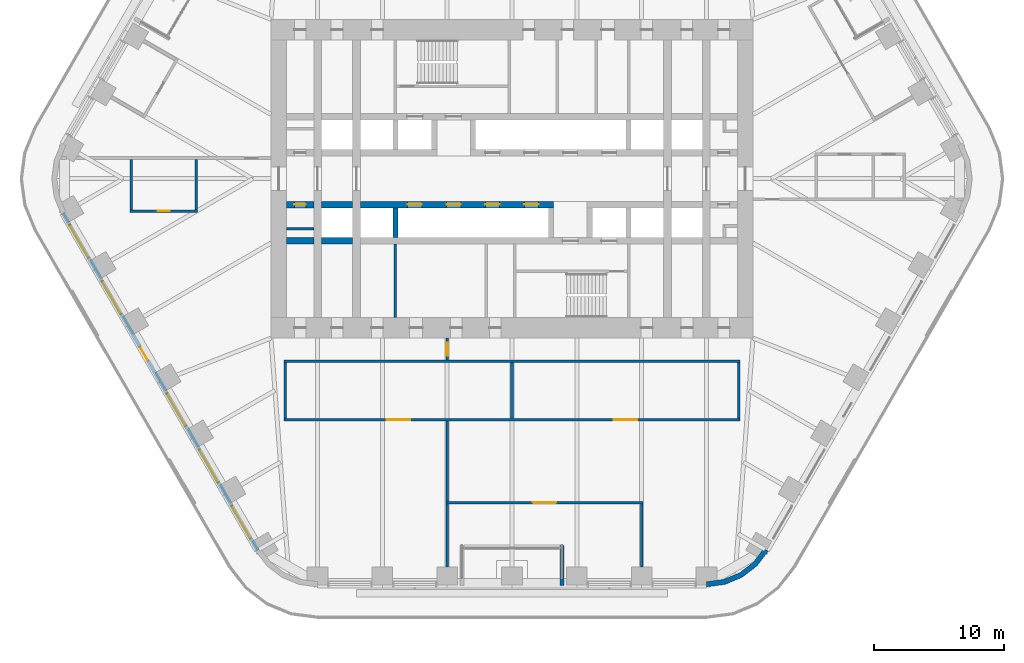
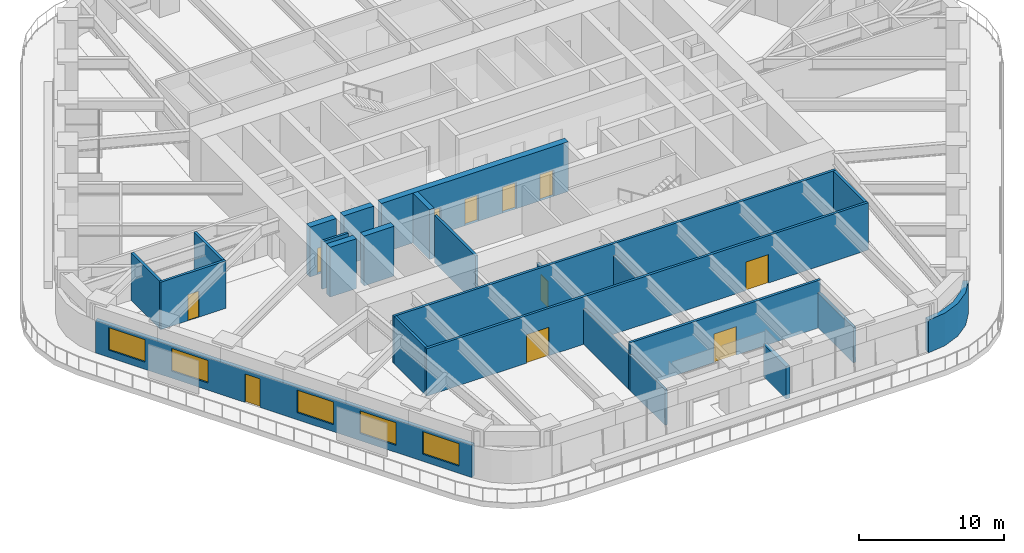
# One storey, part 17 of 24: 24 walls, 11 doors, 5 windows, 16 openings.
"""IFC4 building model written with IfcOpenShell, lengths in metres."""

from ifc_helpers import new_model, si_unit, direction, frame, frame_2d, origin, place, context, subcontext, project, spatial, polyline, rectangle, outline, extrude, material, layer, layer_set, type_object, element, fill, save


model = new_model("IFC4")

# Units and contexts
model_context = context("Model", 3, precision=1e-05, world=origin(), true_north=direction((0.0, 1.0)))
body_context = subcontext(model_context, "Body", "Model", "MODEL_VIEW")
ifc_project = project(units=[si_unit("LENGTHUNIT", "METRE"), si_unit("AREAUNIT", "SQUARE_METRE"), si_unit("VOLUMEUNIT", "CUBIC_METRE"), si_unit("PLANEANGLEUNIT", "RADIAN"), si_unit("MASSUNIT", "GRAM", prefix="KILO")], contexts=[model_context])

# Site, building, storey
site_placement = place(None, origin())
site = spatial("IfcSite", under=ifc_project, at=site_placement, CompositionType="ELEMENT")
building_placement = place(site_placement, origin())
building = spatial("IfcBuilding", under=site, at=building_placement, Name="Tarfa Lantern Tower", CompositionType="ELEMENT")
storey_placement = place(building_placement, frame((0.0, 0.0, 178.300048828125)))
storey = spatial("IfcBuildingStorey", under=building, at=storey_placement, Name="L40", CompositionType="ELEMENT", Elevation=178.300048828125)

# Wall, openings, door, windows
ifc_material_1 = material(Name="Limestone cladding on blockwork", Category="masonry")
ifc_layer_1 = layer(ifc_material_1, 0.300048828125)
ifc_layer_set_1 = layer_set([ifc_layer_1], Name="EW1 STONE-CLAD WALL 300")
wall_type_1 = type_object("IfcWallType", Name="EW1 STONE-CLAD WALL 300", PredefinedType="SOLIDWALL", material=ifc_layer_set_1)
wall_1_placement = place(storey_placement, frame((-34.655517578125, -2.675048828125, 0.0), z_axis=(0.0, 0.0, 1.0), x_axis=(0.500003084452, -0.866023622968, 0.0)))
wall_1 = element("IfcWall", 1, at=wall_1_placement, inside=storey, type_object=wall_type_1, Name="Stone wall SW", PredefinedType="SOLIDWALL", context=body_context, shape_type="SweptSolid", body=[
    extrude(rectangle(XDim=30.022216796875, YDim=0.300048828125, at=frame_2d((15.01123046875, 0.0))), origin(), (0.0, 0.0, 1.0), 2.75),
])
opening_1_placement = place(wall_1_placement, frame((1.0517578125, 0.0, 0.60009765625)))
opening_1 = element("IfcOpeningElement", 2, at=opening_1_placement, cuts=wall_1, Name="Opening W9", PredefinedType="OPENING", context=body_context, shape_type="SweptSolid", body=[
    extrude(rectangle(XDim=2.89990234375, YDim=1.89990234375, at=frame_2d((1.449951171875, 0.949951171875))), frame((0.0, 0.159912109375, 0.0), z_axis=(0.0, -1.0, 0.0), x_axis=(1.0, 0.0, 0.0)), (0.0, 0.0, 1.0), 0.320068359375),
])
opening_2_placement = place(wall_1_placement, frame((6.0556640625, 0.0, 0.60009765625)))
opening_2 = element("IfcOpeningElement", 3, at=opening_2_placement, cuts=wall_1, Name="Opening W9", PredefinedType="OPENING", context=body_context, shape_type="SweptSolid", body=[
    extrude(rectangle(XDim=2.89990234375, YDim=1.89990234375, at=frame_2d((1.449951171875, 0.949951171875))), frame((0.0, 0.159912109375, 0.0), z_axis=(0.0, -1.0, 0.0), x_axis=(1.0, 0.0, 0.0)), (0.0, 0.0, 1.0), 0.320068359375),
])
opening_3_placement = place(wall_1_placement, frame((11.9091796875, 0.0, 0.0)))
opening_3 = element("IfcOpeningElement", 4, at=opening_3_placement, cuts=wall_1, Name="Opening D47", PredefinedType="OPENING", context=body_context, shape_type="SweptSolid", body=[
    extrude(rectangle(XDim=1.199951171875, YDim=2.39990234375, at=frame_2d((0.60009765625, 1.199951171875))), frame((0.0, 0.159912109375, 0.0), z_axis=(0.0, -1.0, 0.0), x_axis=(1.0, 0.0, 0.0)), (0.0, 0.0, 1.0), 0.320068359375),
])
opening_4_placement = place(wall_1_placement, frame((16.06298828125, 0.0, 0.60009765625)))
opening_4 = element("IfcOpeningElement", 5, at=opening_4_placement, cuts=wall_1, Name="Opening W9", PredefinedType="OPENING", context=body_context, shape_type="SweptSolid", body=[
    extrude(rectangle(XDim=2.89990234375, YDim=1.89990234375, at=frame_2d((1.449951171875, 0.949951171875))), frame((0.0, 0.159912109375, 0.0), z_axis=(0.0, -1.0, 0.0), x_axis=(1.0, 0.0, 0.0)), (0.0, 0.0, 1.0), 0.320068359375),
])
opening_5_placement = place(wall_1_placement, frame((21.066650390625, 0.0, 0.60009765625)))
opening_5 = element("IfcOpeningElement", 6, at=opening_5_placement, cuts=wall_1, Name="Opening W9", PredefinedType="OPENING", context=body_context, shape_type="SweptSolid", body=[
    extrude(rectangle(XDim=2.89990234375, YDim=1.89990234375, at=frame_2d((1.449951171875, 0.949951171875))), frame((0.0, 0.159912109375, 0.0), z_axis=(0.0, -1.0, 0.0), x_axis=(1.0, 0.0, 0.0)), (0.0, 0.0, 1.0), 0.320068359375),
])
opening_6_placement = place(wall_1_placement, frame((26.0703125, 0.0, 0.60009765625)))
opening_6 = element("IfcOpeningElement", 7, at=opening_6_placement, cuts=wall_1, Name="Opening W9", PredefinedType="OPENING", context=body_context, shape_type="SweptSolid", body=[
    extrude(rectangle(XDim=2.89990234375, YDim=1.89990234375, at=frame_2d((1.449951171875, 0.949951171875))), frame((0.0, 0.159912109375, 0.0), z_axis=(0.0, -1.0, 0.0), x_axis=(1.0, 0.0, 0.0)), (0.0, 0.0, 1.0), 0.320068359375),
])
ifc_material_2 = material(Name="Aluminium framed glazed door", Category="aluminium")
door_type_1 = type_object("IfcDoorType", Name="BE3 BALCONY DOOR 1200x2400", OperationType="SINGLE_SWING_RIGHT", PredefinedType="DOOR", material=ifc_material_2)
door_1_placement = place(opening_3_placement, origin())
door_1 = element("IfcDoor", 8, at=door_1_placement, inside=storey, type_object=door_type_1, Name="Balcony door SW", OperationType="SINGLE_SWING_RIGHT", OverallHeight=2.39990234375, OverallWidth=1.199951171875, PredefinedType="DOOR", context=body_context, shape_type="SweptSolid", body=[
    extrude(rectangle(XDim=1.199951171875, YDim=2.39990234375, at=frame_2d((0.60009765625, 1.199951171875))), frame((0.0, 0.02490234375, 0.0), z_axis=(0.0, -1.0, 0.0), x_axis=(1.0, 0.0, 0.0)), (0.0, 0.0, 1.0), 0.050048828125),
])
fill(opening_3, door_1)
ifc_material_3 = material(Name="Aluminium frame, double glazed", Category="aluminium")
window_type = type_object("IfcWindowType", Name="W9 FULL-HEIGHT GLAZING 2900x1900", PartitioningType="SINGLE_PANEL", PredefinedType="WINDOW", material=ifc_material_3)
window_1_placement = place(opening_1_placement, origin())
window_1 = element("IfcWindow", 9, at=window_1_placement, inside=storey, type_object=window_type, Name="Window SW 1", OverallHeight=1.89990234375, OverallWidth=2.89990234375, PartitioningType="SINGLE_PANEL", PredefinedType="WINDOW", context=body_context, shape_type="SweptSolid", body=[
    extrude(rectangle(XDim=2.89990234375, YDim=1.89990234375, at=frame_2d((1.449951171875, 0.949951171875))), frame((0.0, 0.030029296875, 0.0), z_axis=(0.0, -1.0, 0.0), x_axis=(1.0, 0.0, 0.0)), (0.0, 0.0, 1.0), 0.06005859375),
])
fill(opening_1, window_1)
window_2_placement = place(opening_2_placement, origin())
window_2 = element("IfcWindow", 10, at=window_2_placement, inside=storey, type_object=window_type, Name="Window SW 2", OverallHeight=1.89990234375, OverallWidth=2.89990234375, PartitioningType="SINGLE_PANEL", PredefinedType="WINDOW", context=body_context, shape_type="SweptSolid", body=[
    extrude(rectangle(XDim=2.89990234375, YDim=1.89990234375, at=frame_2d((1.449951171875, 0.949951171875))), frame((0.0, 0.030029296875, 0.0), z_axis=(0.0, -1.0, 0.0), x_axis=(1.0, 0.0, 0.0)), (0.0, 0.0, 1.0), 0.06005859375),
])
fill(opening_2, window_2)
window_3_placement = place(opening_4_placement, origin())
window_3 = element("IfcWindow", 11, at=window_3_placement, inside=storey, type_object=window_type, Name="Window SW 4", OverallHeight=1.89990234375, OverallWidth=2.89990234375, PartitioningType="SINGLE_PANEL", PredefinedType="WINDOW", context=body_context, shape_type="SweptSolid", body=[
    extrude(rectangle(XDim=2.89990234375, YDim=1.89990234375, at=frame_2d((1.449951171875, 0.949951171875))), frame((0.0, 0.030029296875, 0.0), z_axis=(0.0, -1.0, 0.0), x_axis=(1.0, 0.0, 0.0)), (0.0, 0.0, 1.0), 0.06005859375),
])
fill(opening_4, window_3)
window_4_placement = place(opening_5_placement, origin())
window_4 = element("IfcWindow", 12, at=window_4_placement, inside=storey, type_object=window_type, Name="Window SW 5", OverallHeight=1.89990234375, OverallWidth=2.89990234375, PartitioningType="SINGLE_PANEL", PredefinedType="WINDOW", context=body_context, shape_type="SweptSolid", body=[
    extrude(rectangle(XDim=2.89990234375, YDim=1.89990234375, at=frame_2d((1.449951171875, 0.949951171875))), frame((0.0, 0.030029296875, 0.0), z_axis=(0.0, -1.0, 0.0), x_axis=(1.0, 0.0, 0.0)), (0.0, 0.0, 1.0), 0.06005859375),
])
fill(opening_5, window_4)
window_5_placement = place(opening_6_placement, origin())
window_5 = element("IfcWindow", 13, at=window_5_placement, inside=storey, type_object=window_type, Name="Window SW 6", OverallHeight=1.89990234375, OverallWidth=2.89990234375, PartitioningType="SINGLE_PANEL", PredefinedType="WINDOW", context=body_context, shape_type="SweptSolid", body=[
    extrude(rectangle(XDim=2.89990234375, YDim=1.89990234375, at=frame_2d((1.449951171875, 0.949951171875))), frame((0.0, 0.030029296875, 0.0), z_axis=(0.0, -1.0, 0.0), x_axis=(1.0, 0.0, 0.0)), (0.0, 0.0, 1.0), 0.06005859375),
])
fill(opening_6, window_5)

# Walls
wall_2_placement = place(storey_placement, frame((3.853759765625, -31.39990234375, 0.0), z_axis=(0.0, 0.0, 1.0), x_axis=(0.0, 1.0, 0.0)))
element("IfcWall", 14, at=wall_2_placement, inside=storey, type_object=wall_type_1, Name="Loggia return S 2", PredefinedType="SOLIDWALL", context=body_context, shape_type="SweptSolid", body=[
    extrude(rectangle(XDim=3.099853515625, YDim=0.300048828125, at=frame_2d((1.5498046875, 0.0))), origin(), (0.0, 0.0, 1.0), 2.75),
])
ifc_layer_2 = layer(ifc_material_1, 0.39990234375)
ifc_layer_set_2 = layer_set([ifc_layer_2], Name="EW2 CURVED STONE CORNER 400")
wall_type_2 = type_object("IfcWallType", Name="EW2 CURVED STONE CORNER 400", PredefinedType="SOLIDWALL", material=ifc_layer_set_2)
wall_3_placement = place(storey_placement, origin())
element("IfcWall", 15, at=wall_3_placement, inside=storey, type_object=wall_type_2, Name="Stone corner S-SE", PredefinedType="SOLIDWALL", context=body_context, shape_type="SweptSolid", body=[
    extrude(outline(polyline([(15.010986328125, -31.5), (16.4345703125, -31.3125), (17.760986328125, -30.76318359375), (18.900146484375, -29.88916015625), (19.774169921875, -28.75), (19.427734375, -28.550048828125), (18.617431640625, -29.606201171875), (17.56103515625, -30.416748046875), (16.3310546875, -30.92626953125), (15.010986328125, -31.10009765625), (15.010986328125, -31.5)])), origin(), (0.0, 0.0, 1.0), 2.75),
])
ifc_material_4 = material(Name="Concrete blockwork", Category="masonry")
ifc_layer_3 = layer(ifc_material_4, 0.199951171875)
ifc_layer_set_3 = layer_set([ifc_layer_3], Name="IW1 BLOCKWORK PARTITION 200 EI 120")
wall_type_3 = type_object("IfcWallType", Name="IW1 BLOCKWORK PARTITION 200 EI 120", PredefinedType="PARTITIONING", material=ifc_layer_set_3)
wall_4_placement = place(storey_placement, frame((-9.0, -5.050048828125, 0.0), z_axis=(0.0, 0.0, 1.0), x_axis=(0.0, -1.0, 0.0)))
element("IfcWall", 16, at=wall_4_placement, inside=storey, type_object=wall_type_3, Name="Core partition", PredefinedType="PARTITIONING", context=body_context, shape_type="SweptSolid", body=[
    extrude(rectangle(XDim=5.64990234375, YDim=0.199951171875, at=frame_2d((2.824951171875, 0.0))), origin(), (0.0, 0.0, 1.0), 4.0),
])
wall_5_placement = place(storey_placement, frame((-15.300048828125, -3.85009765625, 0.0), z_axis=(0.0, 0.0, 1.0), x_axis=(-1.0, 0.0, 0.0)))
element("IfcWall", 17, at=wall_5_placement, inside=storey, type_object=wall_type_3, Name="Core partition", PredefinedType="PARTITIONING", context=body_context, shape_type="SweptSolid", body=[
    extrude(rectangle(XDim=2.099853515625, YDim=0.199951171875, at=frame_2d((1.0498046875, 0.0))), origin(), (0.0, 0.0, 1.0), 4.0),
])
ifc_material_5 = material(Name="Gypsum board on steel studs", Category="steel")
ifc_layer_4 = layer(ifc_material_5, 0.2099609375)
ifc_layer_set_4 = layer_set([ifc_layer_4], Name="IW2 ACOUSTIC PARTITION 200")
wall_type_4 = type_object("IfcWallType", Name="IW2 ACOUSTIC PARTITION 200", PredefinedType="PARTITIONING", material=ifc_layer_set_4)
wall_6_placement = place(storey_placement, frame((17.60009765625, -14.10009765625, 0.0), z_axis=(0.0, 0.0, 1.0), x_axis=(-1.0, 0.0, 0.0)))
element("IfcWall", 18, at=wall_6_placement, inside=storey, type_object=wall_type_4, Name="Partition", PredefinedType="PARTITIONING", context=body_context, shape_type="SweptSolid", body=[
    extrude(rectangle(XDim=35.2001953125, YDim=0.199951171875, at=frame_2d((17.60009765625, 0.0))), origin(), (0.0, 0.0, 1.0), 4.0),
])

# Wall, openings, doors
wall_7_placement = place(storey_placement, frame((17.60009765625, -18.60009765625, 0.0), z_axis=(0.0, 0.0, 1.0), x_axis=(-1.0, 0.0, 0.0)))
wall_7 = element("IfcWall", 19, at=wall_7_placement, inside=storey, type_object=wall_type_4, Name="Partition", PredefinedType="PARTITIONING", context=body_context, shape_type="SweptSolid", body=[
    extrude(rectangle(XDim=35.2001953125, YDim=0.199951171875, at=frame_2d((17.60009765625, 0.0))), origin(), (0.0, 0.0, 1.0), 4.0),
])
opening_7_placement = place(wall_7_placement, frame((7.949951171875, 0.0, 0.0)))
opening_7 = element("IfcOpeningElement", 20, at=opening_7_placement, cuts=wall_7, Name="Opening D37", PredefinedType="OPENING", context=body_context, shape_type="SweptSolid", body=[
    extrude(rectangle(XDim=1.800048828125, YDim=2.39990234375, at=frame_2d((0.89990234375, 1.199951171875))), frame((0.0, 0.10986328125, 0.0), z_axis=(0.0, -1.0, 0.0), x_axis=(1.0, 0.0, 0.0)), (0.0, 0.0, 1.0), 0.219970703125),
])
opening_8_placement = place(wall_7_placement, frame((25.449951171875, 0.0, 0.0)))
opening_8 = element("IfcOpeningElement", 21, at=opening_8_placement, cuts=wall_7, Name="Opening D38", PredefinedType="OPENING", context=body_context, shape_type="SweptSolid", body=[
    extrude(rectangle(XDim=1.800048828125, YDim=2.39990234375, at=frame_2d((0.89990234375, 1.199951171875))), frame((0.0, 0.10986328125, 0.0), z_axis=(0.0, -1.0, 0.0), x_axis=(1.0, 0.0, 0.0)), (0.0, 0.0, 1.0), 0.219970703125),
])
ifc_material_6 = material(Name="Timber door", Category="wood")
door_type_2 = type_object("IfcDoorType", Name="DR2 ROOM DOOR 1800x2400", OperationType="DOUBLE_DOOR_SINGLE_SWING", PredefinedType="DOOR", material=ifc_material_6)
door_2_placement = place(opening_7_placement, frame((1.800048828125, 0.0, 0.0), z_axis=(0.0, 0.0, 1.0), x_axis=(-1.0, 0.0, 0.0)))
door_2 = element("IfcDoor", 22, at=door_2_placement, inside=storey, type_object=door_type_2, Name="Pantry door", OperationType="DOUBLE_DOOR_SINGLE_SWING", OverallHeight=2.39990234375, OverallWidth=1.800048828125, PredefinedType="DOOR", context=body_context, shape_type="SweptSolid", body=[
    extrude(rectangle(XDim=1.800048828125, YDim=2.39990234375, at=frame_2d((0.89990234375, 1.199951171875))), frame((0.0, 0.02490234375, 0.0), z_axis=(0.0, -1.0, 0.0), x_axis=(1.0, 0.0, 0.0)), (0.0, 0.0, 1.0), 0.050048828125),
])
fill(opening_7, door_2)
door_3_placement = place(opening_8_placement, frame((1.800048828125, 0.0, 0.0), z_axis=(0.0, 0.0, 1.0), x_axis=(-1.0, 0.0, 0.0)))
door_3 = element("IfcDoor", 23, at=door_3_placement, inside=storey, type_object=door_type_2, Name="Store door", OperationType="DOUBLE_DOOR_SINGLE_SWING", OverallHeight=2.39990234375, OverallWidth=1.800048828125, PredefinedType="DOOR", context=body_context, shape_type="SweptSolid", body=[
    extrude(rectangle(XDim=1.800048828125, YDim=2.39990234375, at=frame_2d((0.89990234375, 1.199951171875))), frame((0.0, 0.02490234375, 0.0), z_axis=(0.0, -1.0, 0.0), x_axis=(1.0, 0.0, 0.0)), (0.0, 0.0, 1.0), 0.050048828125),
])
fill(opening_8, door_3)

# Walls
wall_8_placement = place(storey_placement, frame((17.5, -14.199951171875, 0.0), z_axis=(0.0, 0.0, 1.0), x_axis=(0.0, -1.0, 0.0)))
element("IfcWall", 24, at=wall_8_placement, inside=storey, type_object=wall_type_4, Name="Partition", PredefinedType="PARTITIONING", context=body_context, shape_type="SweptSolid", body=[
    extrude(rectangle(XDim=4.300048828125, YDim=0.199951171875, at=frame_2d((2.14990234375, 0.0))), origin(), (0.0, 0.0, 1.0), 4.0),
])
wall_9_placement = place(storey_placement, frame((0.0, -14.199951171875, 0.0), z_axis=(0.0, 0.0, 1.0), x_axis=(0.0, -1.0, 0.0)))
element("IfcWall", 25, at=wall_9_placement, inside=storey, type_object=wall_type_4, Name="Partition", PredefinedType="PARTITIONING", context=body_context, shape_type="SweptSolid", body=[
    extrude(rectangle(XDim=4.300048828125, YDim=0.199951171875, at=frame_2d((2.14990234375, 0.0))), origin(), (0.0, 0.0, 1.0), 2.991943359375),
])
wall_10_placement = place(storey_placement, frame((-17.5, -14.199951171875, 0.0), z_axis=(0.0, 0.0, 1.0), x_axis=(0.0, -1.0, 0.0)))
element("IfcWall", 26, at=wall_10_placement, inside=storey, type_object=wall_type_4, Name="Partition", PredefinedType="PARTITIONING", context=body_context, shape_type="SweptSolid", body=[
    extrude(rectangle(XDim=4.300048828125, YDim=0.199951171875, at=frame_2d((2.14990234375, 0.0))), origin(), (0.0, 0.0, 1.0), 4.0),
])

# Wall, opening, door
wall_11_placement = place(storey_placement, frame((-5.103759765625, -25.0, 0.0), z_axis=(0.0, 0.0, 1.0), x_axis=(1.0, 0.0, 0.0)))
wall_11 = element("IfcWall", 27, at=wall_11_placement, inside=storey, type_object=wall_type_4, Name="Partition", PredefinedType="PARTITIONING", context=body_context, shape_type="SweptSolid", body=[
    extrude(rectangle(XDim=15.211181640625, YDim=0.199951171875, at=frame_2d((7.60546875, 0.0))), origin(), (0.0, 0.0, 1.0), 4.0),
])
opening_9_placement = place(wall_11_placement, frame((6.70556640625, 0.0, 0.0)))
opening_9 = element("IfcOpeningElement", 28, at=opening_9_placement, cuts=wall_11, Name="Opening D35", PredefinedType="OPENING", context=body_context, shape_type="SweptSolid", body=[
    extrude(rectangle(XDim=1.800048828125, YDim=2.39990234375, at=frame_2d((0.89990234375, 1.199951171875))), frame((0.0, 0.10986328125, 0.0), z_axis=(0.0, -1.0, 0.0), x_axis=(1.0, 0.0, 0.0)), (0.0, 0.0, 1.0), 0.219970703125),
])
door_4_placement = place(opening_9_placement, frame((1.800048828125, 0.0, 0.0), z_axis=(0.0, 0.0, 1.0), x_axis=(-1.0, 0.0, 0.0)))
door_4 = element("IfcDoor", 29, at=door_4_placement, inside=storey, type_object=door_type_2, Name="Showroom door", OperationType="DOUBLE_DOOR_SINGLE_SWING", OverallHeight=2.39990234375, OverallWidth=1.800048828125, PredefinedType="DOOR", context=body_context, shape_type="SweptSolid", body=[
    extrude(rectangle(XDim=1.800048828125, YDim=2.39990234375, at=frame_2d((0.89990234375, 1.199951171875))), frame((0.0, 0.02490234375, 0.0), z_axis=(0.0, -1.0, 0.0), x_axis=(1.0, 0.0, 0.0)), (0.0, 0.0, 1.0), 0.050048828125),
])
fill(opening_9, door_4)

# Walls
for number, where, z_axis, x_axis, name in (
    (30, (-5.003662109375, -25.10009765625, 0.0), (0.0, 0.0, 1.0), (0.0, -1.0, 0.0), "Partition"),
    (31, (10.00732421875, -25.10009765625, 0.0), (0.0, 0.0, 1.0), (0.0, -1.0, 0.0), "Partition"),
):
    element("IfcWall", number, at=place(storey_placement, frame(where, z_axis=z_axis, x_axis=x_axis)), inside=storey, type_object=wall_type_4, Name=name, PredefinedType="PARTITIONING", context=body_context, shape_type="SweptSolid", body=[
        extrude(rectangle(XDim=4.849853515625, YDim=0.199951171875, at=frame_2d((2.4248046875, 0.0))), origin(), (0.0, 0.0, 1.0), 2.991943359375),
    ])

# Wall, opening, door
wall_12_placement = place(storey_placement, frame((-5.0, -12.300048828125, 0.0), z_axis=(0.0, 0.0, 1.0), x_axis=(0.0, -1.0, 0.0)))
wall_12 = element("IfcWall", 32, at=wall_12_placement, inside=storey, type_object=wall_type_4, Name="Partition", PredefinedType="PARTITIONING", context=body_context, shape_type="SweptSolid", body=[
    extrude(rectangle(XDim=1.699951171875, YDim=0.199951171875, at=frame_2d((0.85009765625, 0.0))), origin(), (0.0, 0.0, 1.0), 2.991943359375),
])
opening_10_placement = place(wall_12_placement, frame((0.35009765625, 0.0, 0.0)))
opening_10 = element("IfcOpeningElement", 33, at=opening_10_placement, cuts=wall_12, Name="Opening D43", PredefinedType="OPENING", context=body_context, shape_type="SweptSolid", body=[
    extrude(rectangle(XDim=1.0, YDim=2.199951171875, at=frame_2d((0.5, 1.10009765625))), frame((0.0, 0.10986328125, 0.0), z_axis=(0.0, -1.0, 0.0), x_axis=(1.0, 0.0, 0.0)), (0.0, 0.0, 1.0), 0.219970703125),
])
door_type_3 = type_object("IfcDoorType", Name="DR1 ROOM DOOR 1000x2200", OperationType="SINGLE_SWING_LEFT", PredefinedType="DOOR", material=ifc_material_6)
door_5_placement = place(opening_10_placement, frame((1.0, 0.0, 0.0), z_axis=(0.0, 0.0, 1.0), x_axis=(-1.0, 0.0, 0.0)))
door_5 = element("IfcDoor", 34, at=door_5_placement, inside=storey, type_object=door_type_3, Name="Zone door", OperationType="SINGLE_SWING_RIGHT", OverallHeight=2.199951171875, OverallWidth=1.0, PredefinedType="DOOR", context=body_context, shape_type="SweptSolid", body=[
    extrude(rectangle(XDim=1.0, YDim=2.199951171875, at=frame_2d((0.5, 1.10009765625))), frame((0.0, 0.02490234375, 0.0), z_axis=(0.0, -1.0, 0.0), x_axis=(1.0, 0.0, 0.0)), (0.0, 0.0, 1.0), 0.050048828125),
])
fill(opening_10, door_5)

# Wall
wall_13_placement = place(storey_placement, frame((-5.0, -18.699951171875, 0.0), z_axis=(0.0, 0.0, 1.0), x_axis=(0.0, -1.0, 0.0)))
element("IfcWall", 35, at=wall_13_placement, inside=storey, type_object=wall_type_4, Name="Partition", PredefinedType="PARTITIONING", context=body_context, shape_type="SweptSolid", body=[
    extrude(rectangle(XDim=6.199951171875, YDim=0.199951171875, at=frame_2d((3.10009765625, 0.0))), origin(), (0.0, 0.0, 1.0), 2.991943359375),
])

# Wall, opening, door
wall_14_placement = place(storey_placement, frame((-24.28271484375, -2.5, 0.0), z_axis=(0.0, 0.0, 1.0), x_axis=(-1.0, 0.0, 0.0)))
wall_14 = element("IfcWall", 36, at=wall_14_placement, inside=storey, type_object=wall_type_4, Name="Partition", PredefinedType="PARTITIONING", context=body_context, shape_type="SweptSolid", body=[
    extrude(rectangle(XDim=5.199951171875, YDim=0.199951171875, at=frame_2d((2.60009765625, 0.0))), origin(), (0.0, 0.0, 1.0), 4.0),
])
opening_11_placement = place(wall_14_placement, frame((2.14990234375, 0.0, 0.0)))
opening_11 = element("IfcOpeningElement", 37, at=opening_11_placement, cuts=wall_14, Name="Opening D41", PredefinedType="OPENING", context=body_context, shape_type="SweptSolid", body=[
    extrude(rectangle(XDim=0.89990234375, YDim=2.199951171875, at=frame_2d((0.449951171875, 1.10009765625))), frame((0.0, 0.10986328125, 0.0), z_axis=(0.0, -1.0, 0.0), x_axis=(1.0, 0.0, 0.0)), (0.0, 0.0, 1.0), 0.219970703125),
])
door_type_4 = type_object("IfcDoorType", Name="DR3 ROOM DOOR 900x2200", OperationType="SINGLE_SWING_LEFT", PredefinedType="DOOR", material=ifc_material_6)
door_6_placement = place(opening_11_placement, frame((0.89990234375, 0.0, 0.0), z_axis=(0.0, 0.0, 1.0), x_axis=(-1.0, 0.0, 0.0)))
door_6 = element("IfcDoor", 38, at=door_6_placement, inside=storey, type_object=door_type_4, Name="Team room door", OperationType="SINGLE_SWING_RIGHT", OverallHeight=2.199951171875, OverallWidth=0.89990234375, PredefinedType="DOOR", context=body_context, shape_type="SweptSolid", body=[
    extrude(rectangle(XDim=0.89990234375, YDim=2.199951171875, at=frame_2d((0.449951171875, 1.10009765625))), frame((0.0, 0.02490234375, 0.0), z_axis=(0.0, -1.0, 0.0), x_axis=(1.0, 0.0, 0.0)), (0.0, 0.0, 1.0), 0.050048828125),
])
fill(opening_11, door_6)

# Walls
for number, where, z_axis, x_axis, name in (
    (39, (-24.3828125, 1.5, 0.0), (0.0, 0.0, 1.0), (0.0, -1.0, 0.0), "Partition"),
    (40, (-29.3828125, 1.5, 0.0), (0.0, 0.0, 1.0), (0.0, -1.0, 0.0), "Partition"),
):
    element("IfcWall", number, at=place(storey_placement, frame(where, z_axis=z_axis, x_axis=x_axis)), inside=storey, type_object=wall_type_4, Name=name, PredefinedType="PARTITIONING", context=body_context, shape_type="SweptSolid", body=[
        extrude(rectangle(XDim=3.89990234375, YDim=0.199951171875, at=frame_2d((1.949951171875, 0.0))), origin(), (0.0, 0.0, 1.0), 4.0),
    ])

# Wall, openings, doors
ifc_material_7 = material(Name="Concrete C80/95", Category="concrete")
ifc_layer_5 = layer(ifc_material_7, 0.5)
ifc_layer_set_5 = layer_set([ifc_layer_5], Name="SW5 CORE WALL 500")
wall_type_5 = type_object("IfcWallType", Name="SW5 CORE WALL 500", PredefinedType="SHEAR", material=ifc_layer_set_5)
wall_15_placement = place(storey_placement, frame((3.199951171875, -2.0, 0.0), z_axis=(0.0, 0.0, 1.0), x_axis=(-1.0, 0.0, 0.0)))
wall_15 = element("IfcWall", 41, at=wall_15_placement, inside=storey, type_object=wall_type_5, Name="Core wall lobby east S", PredefinedType="SHEAR", context=body_context, shape_type="SweptSolid", body=[
    extrude(rectangle(XDim=14.89990234375, YDim=0.5, at=frame_2d((7.449951171875, 0.0))), origin(), (0.0, 0.0, 1.0), 4.199951171875),
])
opening_12_placement = place(wall_15_placement, frame((1.14990234375, 0.0, 0.0)))
opening_12 = element("IfcOpeningElement", 42, at=opening_12_placement, cuts=wall_15, Name="Opening LD07", PredefinedType="OPENING", context=body_context, shape_type="SweptSolid", body=[
    extrude(rectangle(XDim=1.10009765625, YDim=2.199951171875, at=frame_2d((0.550048828125, 1.10009765625))), frame((0.0, 0.260009765625, 0.0), z_axis=(0.0, -1.0, 0.0), x_axis=(1.0, 0.0, 0.0)), (0.0, 0.0, 1.0), 0.52001953125),
])
opening_13_placement = place(wall_15_placement, frame((4.14990234375, 0.0, 0.0)))
opening_13 = element("IfcOpeningElement", 43, at=opening_13_placement, cuts=wall_15, Name="Opening LD08", PredefinedType="OPENING", context=body_context, shape_type="SweptSolid", body=[
    extrude(rectangle(XDim=1.10009765625, YDim=2.199951171875, at=frame_2d((0.550048828125, 1.10009765625))), frame((0.0, 0.260009765625, 0.0), z_axis=(0.0, -1.0, 0.0), x_axis=(1.0, 0.0, 0.0)), (0.0, 0.0, 1.0), 0.52001953125),
])
opening_14_placement = place(wall_15_placement, frame((7.14990234375, 0.0, 0.0)))
opening_14 = element("IfcOpeningElement", 44, at=opening_14_placement, cuts=wall_15, Name="Opening LD09", PredefinedType="OPENING", context=body_context, shape_type="SweptSolid", body=[
    extrude(rectangle(XDim=1.10009765625, YDim=2.199951171875, at=frame_2d((0.550048828125, 1.10009765625))), frame((0.0, 0.260009765625, 0.0), z_axis=(0.0, -1.0, 0.0), x_axis=(1.0, 0.0, 0.0)), (0.0, 0.0, 1.0), 0.52001953125),
])
opening_15_placement = place(wall_15_placement, frame((10.14990234375, 0.0, 0.0)))
opening_15 = element("IfcOpeningElement", 45, at=opening_15_placement, cuts=wall_15, Name="Opening LD10", PredefinedType="OPENING", context=body_context, shape_type="SweptSolid", body=[
    extrude(rectangle(XDim=1.10009765625, YDim=2.199951171875, at=frame_2d((0.550048828125, 1.10009765625))), frame((0.0, 0.260009765625, 0.0), z_axis=(0.0, -1.0, 0.0), x_axis=(1.0, 0.0, 0.0)), (0.0, 0.0, 1.0), 0.52001953125),
])
ifc_material_8 = material(Name="Stainless steel lift door", Category="steel")
door_type_5 = type_object("IfcDoorType", Name="LD2 LIFT LANDING DOOR 1100x2200", OperationType="SLIDING_TO_LEFT", PredefinedType="DOOR", material=ifc_material_8)
door_7_placement = place(opening_12_placement, frame((1.10009765625, 0.0, 0.0), z_axis=(0.0, 0.0, 1.0), x_axis=(-1.0, 0.0, 0.0)))
door_7 = element("IfcDoor", 46, at=door_7_placement, inside=storey, type_object=door_type_5, Name="Landing door PB5", OperationType="SLIDING_TO_LEFT", OverallHeight=2.199951171875, OverallWidth=1.10009765625, PredefinedType="DOOR", context=body_context, shape_type="SweptSolid", body=[
    extrude(rectangle(XDim=1.10009765625, YDim=2.199951171875, at=frame_2d((0.550048828125, 1.10009765625))), frame((0.0, 0.02490234375, 0.0), z_axis=(0.0, -1.0, 0.0), x_axis=(1.0, 0.0, 0.0)), (0.0, 0.0, 1.0), 0.050048828125),
])
fill(opening_12, door_7)
door_8_placement = place(opening_13_placement, frame((1.10009765625, 0.0, 0.0), z_axis=(0.0, 0.0, 1.0), x_axis=(-1.0, 0.0, 0.0)))
door_8 = element("IfcDoor", 47, at=door_8_placement, inside=storey, type_object=door_type_5, Name="Landing door PB6", OperationType="SLIDING_TO_LEFT", OverallHeight=2.199951171875, OverallWidth=1.10009765625, PredefinedType="DOOR", context=body_context, shape_type="SweptSolid", body=[
    extrude(rectangle(XDim=1.10009765625, YDim=2.199951171875, at=frame_2d((0.550048828125, 1.10009765625))), frame((0.0, 0.02490234375, 0.0), z_axis=(0.0, -1.0, 0.0), x_axis=(1.0, 0.0, 0.0)), (0.0, 0.0, 1.0), 0.050048828125),
])
fill(opening_13, door_8)
door_9_placement = place(opening_14_placement, frame((1.10009765625, 0.0, 0.0), z_axis=(0.0, 0.0, 1.0), x_axis=(-1.0, 0.0, 0.0)))
door_9 = element("IfcDoor", 48, at=door_9_placement, inside=storey, type_object=door_type_5, Name="Landing door PB7", OperationType="SLIDING_TO_LEFT", OverallHeight=2.199951171875, OverallWidth=1.10009765625, PredefinedType="DOOR", context=body_context, shape_type="SweptSolid", body=[
    extrude(rectangle(XDim=1.10009765625, YDim=2.199951171875, at=frame_2d((0.550048828125, 1.10009765625))), frame((0.0, 0.02490234375, 0.0), z_axis=(0.0, -1.0, 0.0), x_axis=(1.0, 0.0, 0.0)), (0.0, 0.0, 1.0), 0.050048828125),
])
fill(opening_14, door_9)
door_10_placement = place(opening_15_placement, frame((1.10009765625, 0.0, 0.0), z_axis=(0.0, 0.0, 1.0), x_axis=(-1.0, 0.0, 0.0)))
door_10 = element("IfcDoor", 49, at=door_10_placement, inside=storey, type_object=door_type_5, Name="Landing door PB8", OperationType="SLIDING_TO_LEFT", OverallHeight=2.199951171875, OverallWidth=1.10009765625, PredefinedType="DOOR", context=body_context, shape_type="SweptSolid", body=[
    extrude(rectangle(XDim=1.10009765625, YDim=2.199951171875, at=frame_2d((0.550048828125, 1.10009765625))), frame((0.0, 0.02490234375, 0.0), z_axis=(0.0, -1.0, 0.0), x_axis=(1.0, 0.0, 0.0)), (0.0, 0.0, 1.0), 0.050048828125),
])
fill(opening_15, door_10)

# Wall
wall_16_placement = place(storey_placement, frame((-12.300048828125, -2.0, 0.0), z_axis=(0.0, 0.0, 1.0), x_axis=(-1.0, 0.0, 0.0)))
element("IfcWall", 50, at=wall_16_placement, inside=storey, type_object=wall_type_5, Name="Core wall lobby east S", PredefinedType="SHEAR", context=body_context, shape_type="SweptSolid", body=[
    extrude(rectangle(XDim=2.39990234375, YDim=0.5, at=frame_2d((1.199951171875, 0.0))), origin(), (0.0, 0.0, 1.0), 4.199951171875),
])

# Wall, opening, door
wall_17_placement = place(storey_placement, frame((-15.300048828125, -2.0, 0.0), z_axis=(0.0, 0.0, 1.0), x_axis=(-1.0, 0.0, 0.0)))
wall_17 = element("IfcWall", 51, at=wall_17_placement, inside=storey, type_object=wall_type_5, Name="Core wall lobby east S", PredefinedType="SHEAR", context=body_context, shape_type="SweptSolid", body=[
    extrude(rectangle(XDim=2.099853515625, YDim=0.5, at=frame_2d((1.0498046875, 0.0))), origin(), (0.0, 0.0, 1.0), 4.199951171875),
])
opening_16_placement = place(wall_17_placement, frame((0.60009765625, 0.0, 0.0)))
opening_16 = element("IfcOpeningElement", 52, at=opening_16_placement, cuts=wall_17, Name="Opening D18", PredefinedType="OPENING", context=body_context, shape_type="SweptSolid", body=[
    extrude(rectangle(XDim=0.89990234375, YDim=2.199951171875, at=frame_2d((0.449951171875, 1.10009765625))), frame((0.0, 0.260009765625, 0.0), z_axis=(0.0, -1.0, 0.0), x_axis=(1.0, 0.0, 0.0)), (0.0, 0.0, 1.0), 0.52001953125),
])
ifc_material_9 = material(Name="Steel fire door", Category="steel")
door_type_6 = type_object("IfcDoorType", Name="DF6 SERVICE ROOM DOOR 900x2200", OperationType="SINGLE_SWING_LEFT", PredefinedType="DOOR", material=ifc_material_9)
door_11_placement = place(opening_16_placement, origin())
door_11 = element("IfcDoor", 53, at=door_11_placement, inside=storey, type_object=door_type_6, Name="Service room door", OperationType="SINGLE_SWING_LEFT", OverallHeight=2.199951171875, OverallWidth=0.89990234375, PredefinedType="DOOR", context=body_context, shape_type="SweptSolid", body=[
    extrude(rectangle(XDim=0.89990234375, YDim=2.199951171875, at=frame_2d((0.449951171875, 1.10009765625))), frame((0.0, 0.02490234375, 0.0), z_axis=(0.0, -1.0, 0.0), x_axis=(1.0, 0.0, 0.0)), (0.0, 0.0, 1.0), 0.050048828125),
])
fill(opening_16, door_11)

# Walls
wall_18_placement = place(storey_placement, frame((-12.300048828125, -4.800048828125, 0.0), z_axis=(0.0, 0.0, 1.0), x_axis=(-1.0, 0.0, 0.0)))
element("IfcWall", 54, at=wall_18_placement, inside=storey, type_object=wall_type_5, Name="Core wall rear S", PredefinedType="SHEAR", context=body_context, shape_type="SweptSolid", body=[
    extrude(rectangle(XDim=2.39990234375, YDim=0.5, at=frame_2d((1.199951171875, 0.0))), origin(), (0.0, 0.0, 1.0), 4.199951171875),
])
wall_19_placement = place(storey_placement, frame((-15.300048828125, -4.800048828125, 0.0), z_axis=(0.0, 0.0, 1.0), x_axis=(-1.0, 0.0, 0.0)))
element("IfcWall", 55, at=wall_19_placement, inside=storey, type_object=wall_type_5, Name="Core wall rear S", PredefinedType="SHEAR", context=body_context, shape_type="SweptSolid", body=[
    extrude(rectangle(XDim=2.099853515625, YDim=0.5, at=frame_2d((1.0498046875, 0.0))), origin(), (0.0, 0.0, 1.0), 4.199951171875),
])
ifc_layer_6 = layer(ifc_material_7, 0.39990234375)
ifc_layer_set_6 = layer_set([ifc_layer_6], Name="SW6 CORE WALL 400")
wall_type_6 = type_object("IfcWallType", Name="SW6 CORE WALL 400", PredefinedType="SHEAR", material=ifc_layer_set_6)
wall_20_placement = place(storey_placement, frame((-9.0, -2.25, 0.0), z_axis=(0.0, 0.0, 1.0), x_axis=(0.0, -1.0, 0.0)))
element("IfcWall", 56, at=wall_20_placement, inside=storey, type_object=wall_type_6, Name="Core wall divider S", PredefinedType="SHEAR", context=body_context, shape_type="SweptSolid", body=[
    extrude(rectangle(XDim=2.300048828125, YDim=0.39990234375, at=frame_2d((1.14990234375, 0.0))), origin(), (0.0, 0.0, 1.0), 4.199951171875),
])

save(model, "model.ifc")
